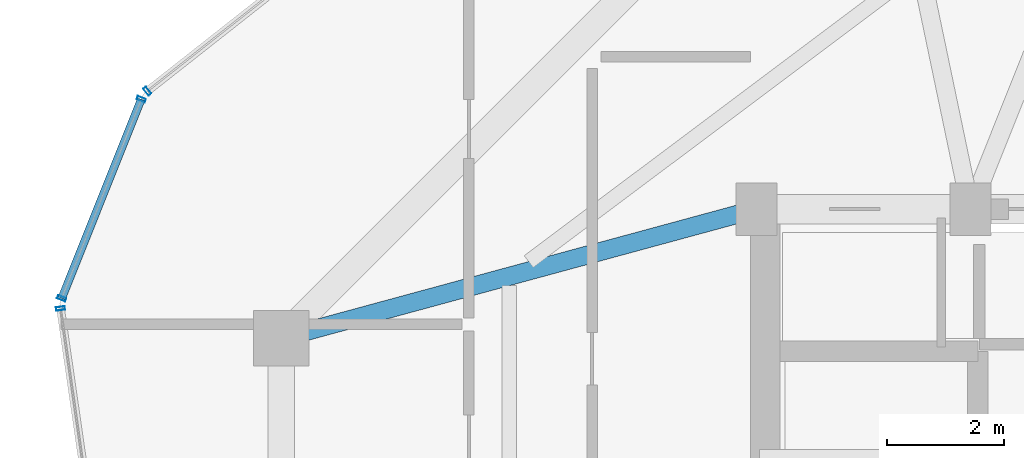
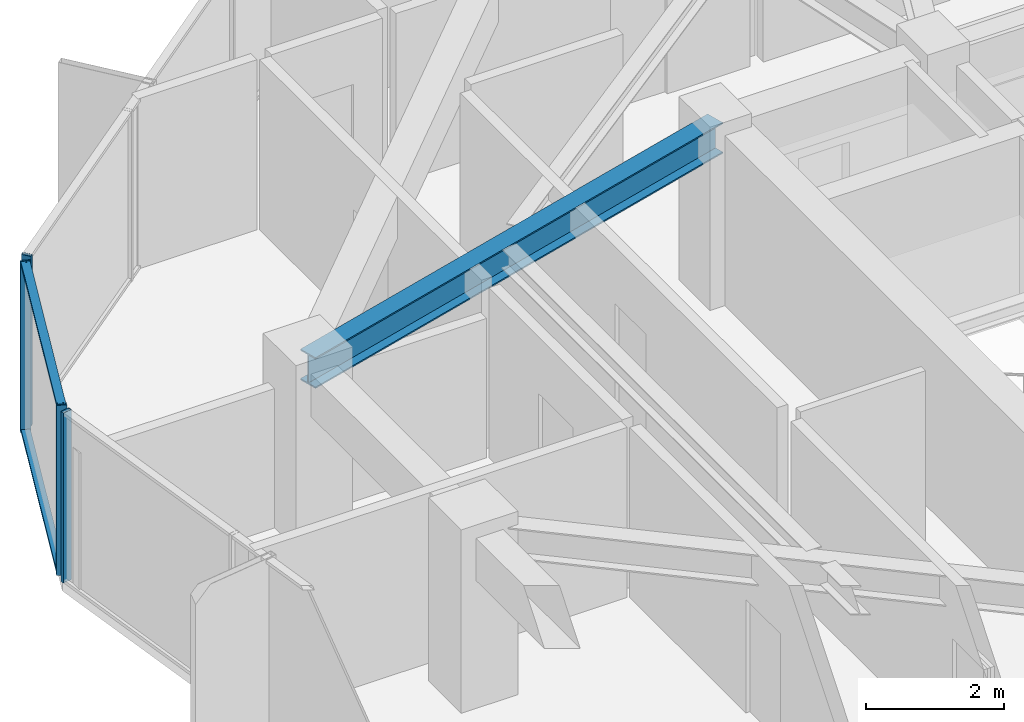
# One storey, part 13 of 31: 6 members, 1 beam, 3 elements without a shape of their own.
"""IFC4 building model written with IfcOpenShell, lengths in metres."""

from ifc_helpers import new_model, si_unit, direction, frame, origin, origin_2d, place, context, subcontext, project, spatial, hollow_rectangle, i_section, extrude, source, transform, mapped, material, layer, layer_set, material_profile, profile_set, type_object, element, aggregate, save


model = new_model("IFC4")

# Units and contexts
model_context = context("Model", 3, precision=1e-05, world=origin(), true_north=direction((0.0, 1.0)))
body_context = subcontext(model_context, "Body", "Model", "MODEL_VIEW")
ifc_project = project(units=[si_unit("LENGTHUNIT", "METRE"), si_unit("AREAUNIT", "SQUARE_METRE"), si_unit("VOLUMEUNIT", "CUBIC_METRE"), si_unit("PLANEANGLEUNIT", "RADIAN"), si_unit("MASSUNIT", "GRAM", prefix="KILO")], contexts=[model_context])

# Site, building, storey
site_placement = place(None, origin())
site = spatial("IfcSite", under=ifc_project, at=site_placement, CompositionType="ELEMENT")
building_placement = place(site_placement, origin())
building = spatial("IfcBuilding", under=site, at=building_placement, Name="Veraguas Prism Commons", CompositionType="ELEMENT")
storey_placement = place(building_placement, frame((0.0, 0.0, 178.85009765625)))
storey = spatial("IfcBuildingStorey", under=building, at=storey_placement, Name="L50", CompositionType="ELEMENT", Elevation=178.85009765625)

# Beam
ifc_material_1 = material(Name="Steel ASTM A992 Grade 50", Category="steel")
ifc_material_profile_1 = material_profile(ifc_material_1, i_section(OverallWidth=0.31103515625, OverallDepth=0.5458984375, WebThickness=0.0146484375, FlangeThickness=0.023681640625, at=origin_2d()), Name="W530X165")
ifc_profile_set_1 = profile_set([ifc_material_profile_1], Name="Steel ASTM A992 Grade 50")
beam_type = type_object("IfcBeamType", Name="Zone 3 Radial Girder W530x165", PredefinedType="BEAM", material=ifc_profile_set_1)
beam_placement = place(storey_placement, frame((9.10009765625, 28.800048828125, 2.741943359375), z_axis=(0.965038506703, 0.262108146725, 0.0), x_axis=(-0.262108146725, 0.965038506703, 0.0)))
element("IfcBeam", 1, at=beam_placement, inside=storey, type_object=beam_type, Name="Radial Floor Girder L50-RD07", PredefinedType="BEAM", context=body_context, shape_type="SweptSolid", body=[
    extrude(i_section(OverallWidth=0.31103515625, OverallDepth=0.5458984375, WebThickness=0.0146484375, FlangeThickness=0.023681640625, at=origin_2d()), origin(), (0.0, 0.0, 1.0), 8.393310546875),
])

# Curtain wall, member
ifc_material_2 = material(Name="Anodised aluminium EN AW-6063 T6", Category="aluminium")
ifc_layer = layer(ifc_material_2, 0.14990234375, Name="Unitised Flush Curtain Wall Zone 3", Category="aluminium")
ifc_layer_set = layer_set([ifc_layer], Name="Anodised aluminium EN AW-6063 T6")
curtain_wall_type = type_object("IfcCurtainWallType", Name="Unitised Flush Curtain Wall Zone 3", PredefinedType="NOTDEFINED", material=ifc_layer_set)
curtain_wall_1_placement = place(storey_placement, origin())
curtain_wall_1 = element("IfcCurtainWall", 2, at=curtain_wall_1_placement, inside=storey, type_object=curtain_wall_type, Name="Tower Facade Curtain Wall L50-F2", PredefinedType="NOTDEFINED")
ifc_material_profile_2 = material_profile(ifc_material_2, hollow_rectangle(XDim=0.06005859375, YDim=0.14990234375, WallThickness=0.0029296875, at=origin_2d()), Name="AL60X150X3")
ifc_profile_set_2 = profile_set([ifc_material_profile_2], Name="Anodised aluminium EN AW-6063 T6")
member_type_1 = type_object("IfcMemberType", Name="Curtain Wall Mullion Upper AL 60x150x3", PredefinedType="MULLION", material=ifc_profile_set_2)
shared_shape_1 = source(origin(), body_context, "Body", "SweptSolid", [
    extrude(hollow_rectangle(XDim=0.06005859375, YDim=0.14990234375, WallThickness=0.0029296875, at=origin_2d()), origin(), (0.0, 0.0, 1.0), 3.014892578125),
])
member_1_placement = place(storey_placement, frame((6.819580078125, 33.01318359375, 0.0), z_axis=(0.0, 0.0, 1.0), x_axis=(-0.785642059854, -0.618681302278, 0.0)))
member_1 = element("IfcMember", 3, at=member_1_placement, type_object=member_type_1, Name="CW-Z3 Mullion 5", PredefinedType="MULLION", context=body_context, shape_type="MappedRepresentation", body=[
    mapped(shared_shape_1, transform((0.0, 0.0, 0.0), scale=1.0)),
])
aggregate(curtain_wall_1, [member_1])

curtain_wall_2_placement = place(storey_placement, origin())
curtain_wall_2 = element("IfcCurtainWall", 4, at=curtain_wall_2_placement, inside=storey, type_object=curtain_wall_type, Name="Tower Facade Curtain Wall L50-F3", PredefinedType="NOTDEFINED")
member_2_placement = place(storey_placement, frame((5.339111328125, 29.3076171875, 0.0), z_axis=(0.0, 0.0, 1.0), x_axis=(0.142972694692, -0.989726633254, 0.0)))
member_2 = element("IfcMember", 5, at=member_2_placement, type_object=member_type_1, Name="CW-Z3 Mullion 1", PredefinedType="MULLION", context=body_context, shape_type="MappedRepresentation", body=[
    mapped(shared_shape_1, transform((0.0, 0.0, 0.0), scale=1.0)),
])
aggregate(curtain_wall_2, [member_2])

# Curtain wall, members
curtain_wall_3_placement = place(storey_placement, origin())
curtain_wall_3 = element("IfcCurtainWall", 6, at=curtain_wall_3_placement, inside=storey, type_object=curtain_wall_type, Name="Chamfer Curtain Wall L50-C3", PredefinedType="NOTDEFINED")
member_3_placement = place(storey_placement, frame((6.715576171875, 32.8740234375, 0.0), z_axis=(0.0, 0.0, 1.0), x_axis=(-0.371014536741, -0.928627058365, 0.0)))
member_3 = element("IfcMember", 7, at=member_3_placement, type_object=member_type_1, Name="CW-Z3 Mullion 1", PredefinedType="MULLION", context=body_context, shape_type="MappedRepresentation", body=[
    mapped(shared_shape_1, transform((0.0, 0.0, 0.0), scale=1.0)),
])
member_4_placement = place(storey_placement, frame((5.359619140625, 29.48046875, 0.0), z_axis=(0.0, 0.0, 1.0), x_axis=(-0.371014536741, -0.928627058365, 0.0)))
member_4 = element("IfcMember", 8, at=member_4_placement, type_object=member_type_1, Name="CW-Z3 Mullion 2", PredefinedType="MULLION", context=body_context, shape_type="MappedRepresentation", body=[
    mapped(shared_shape_1, transform((0.0, 0.0, 0.0), scale=1.0)),
])
ifc_material_profile_3 = material_profile(ifc_material_2, hollow_rectangle(XDim=0.054931640625, YDim=0.135009765625, WallThickness=0.0029296875, at=origin_2d()), Name="AL55X135X3")
ifc_profile_set_3 = profile_set([ifc_material_profile_3], Name="Anodised aluminium EN AW-6063 T6")
member_type_2 = type_object("IfcMemberType", Name="Curtain Wall Transom Standard AL 55x135x3", PredefinedType="USERDEFINED", material=ifc_profile_set_3)
shared_shape_2 = source(origin(), body_context, "Body", "SweptSolid", [
    extrude(hollow_rectangle(XDim=0.054931640625, YDim=0.135009765625, WallThickness=0.0029296875, at=origin_2d()), origin(), (0.0, 0.0, 1.0), 3.654541015625),
])
member_5_placement = place(storey_placement, frame((6.715576171875, 32.8740234375, 0.02734375), z_axis=(-0.371045098097, -0.928614847597, 0.0), x_axis=(0.0, 0.0, 1.0)))
member_5 = element("IfcMember", 9, at=member_5_placement, type_object=member_type_2, Name="CW-Z3 Transom 1", ObjectType="TRANSOM", PredefinedType="USERDEFINED", context=body_context, shape_type="MappedRepresentation", body=[
    mapped(shared_shape_2, transform((0.0, 0.0, 0.0), scale=1.0)),
])
member_6_placement = place(storey_placement, frame((6.715576171875, 32.8740234375, 2.9873046875), z_axis=(-0.371045098097, -0.928614847597, 0.0), x_axis=(0.0, 0.0, 1.0)))
member_6 = element("IfcMember", 10, at=member_6_placement, type_object=member_type_2, Name="CW-Z3 Transom 2", ObjectType="TRANSOM", PredefinedType="USERDEFINED", context=body_context, shape_type="MappedRepresentation", body=[
    mapped(shared_shape_2, transform((0.0, 0.0, 0.0), scale=1.0)),
])
aggregate(curtain_wall_3, [member_3, member_4, member_5, member_6])

save(model, "model.ifc")
